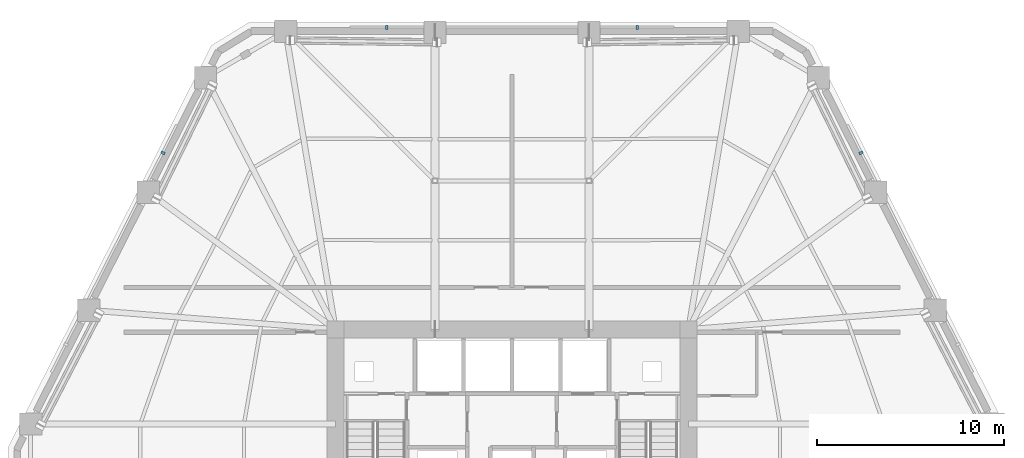
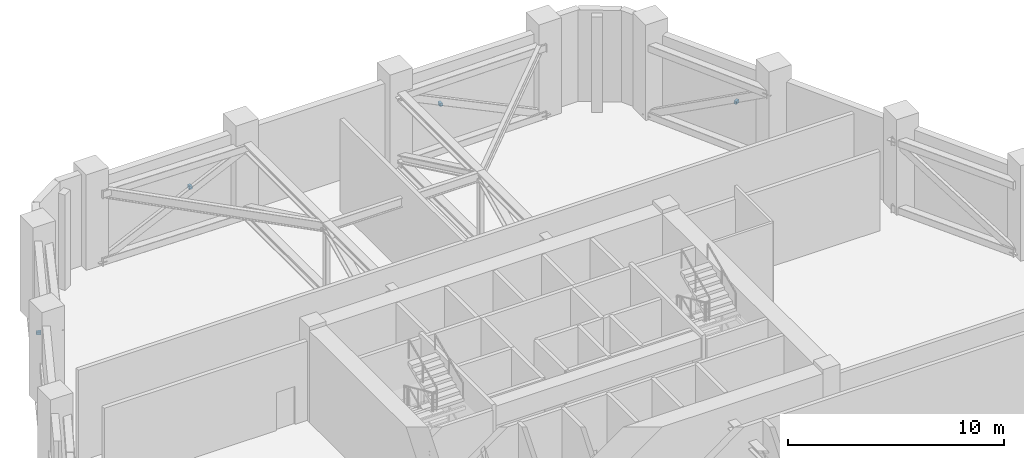
# One storey, part 15 of 19: 4 discrete accessories.
"""IFC4 building model written with IfcOpenShell, lengths in metres."""

from ifc_helpers import new_model, si_unit, direction, frame, origin, origin_2d, place, context, subcontext, project, spatial, rectangle, extrude, material, type_object, element, save


model = new_model("IFC4")

# Units and contexts
model_context = context("Model", 3, precision=1e-05, world=origin(), true_north=direction((0.0, 1.0)))
body_context = subcontext(model_context, "Body", "Model", "MODEL_VIEW")
ifc_project = project(units=[si_unit("LENGTHUNIT", "METRE"), si_unit("AREAUNIT", "SQUARE_METRE"), si_unit("VOLUMEUNIT", "CUBIC_METRE"), si_unit("PLANEANGLEUNIT", "RADIAN"), si_unit("MASSUNIT", "GRAM", prefix="KILO")], contexts=[model_context])

# Site, building, storey
site_placement = place(None, origin())
site = spatial("IfcSite", under=ifc_project, at=site_placement, CompositionType="ELEMENT")
building_placement = place(site_placement, origin())
building = spatial("IfcBuilding", under=site, at=building_placement, Name="Cinnabar Lancet Tower", CompositionType="ELEMENT")
storey_placement = place(building_placement, frame((0.0, 0.0, 74.60009765625)))
storey = spatial("IfcBuildingStorey", under=building, at=storey_placement, Name="L19", CompositionType="ELEMENT", Elevation=74.60009765625)

# Discrete accessories
ifc_material = material(Name="Stainless steel 316 facade fixing bracket", Category="steel")
discrete_accessory_type = type_object("IfcDiscreteAccessoryType", Name="ENV-ACC-BRK-180", PredefinedType="BRACKET", material=ifc_material)
for number, where, z_axis, x_axis, name in (
    (1, (51.080078125, 42.797119140625, 2.06005859375), (0.0, 0.0, 1.0), (-0.451469426816, 0.892286588855, 0.0), "L19 Face 3 Louvre Fixing Bracket B"),
    (2, (39.10498046875, 49.514892578125, 2.06005859375), (0.0, 0.0, 1.0), (-1.0, 0.0, 0.0), "L19 Face 4 Louvre Fixing Bracket A"),
    (3, (25.695068359375, 49.514892578125, 2.06005859375), (0.0, 0.0, 1.0), (-1.0, 0.0, 0.0), "L19 Face 4 Louvre Fixing Bracket B"),
    (4, (13.719970703125, 42.797119140625, 2.06005859375), (0.0, 0.0, 1.0), (-0.451469426816, -0.892286588855, 0.0), "L19 Face 5 Louvre Fixing Bracket A"),
):
    element("IfcDiscreteAccessory", number, at=place(storey_placement, frame(where, z_axis=z_axis, x_axis=x_axis)), inside=storey, type_object=discrete_accessory_type, Name=name, PredefinedType="BRACKET", context=body_context, shape_type="SweptSolid", body=[
        extrude(rectangle(XDim=0.139892578125, YDim=0.219970703125, at=origin_2d()), origin(), (0.0, 0.0, 1.0), 0.179931640625),
    ])

save(model, "model.ifc")
